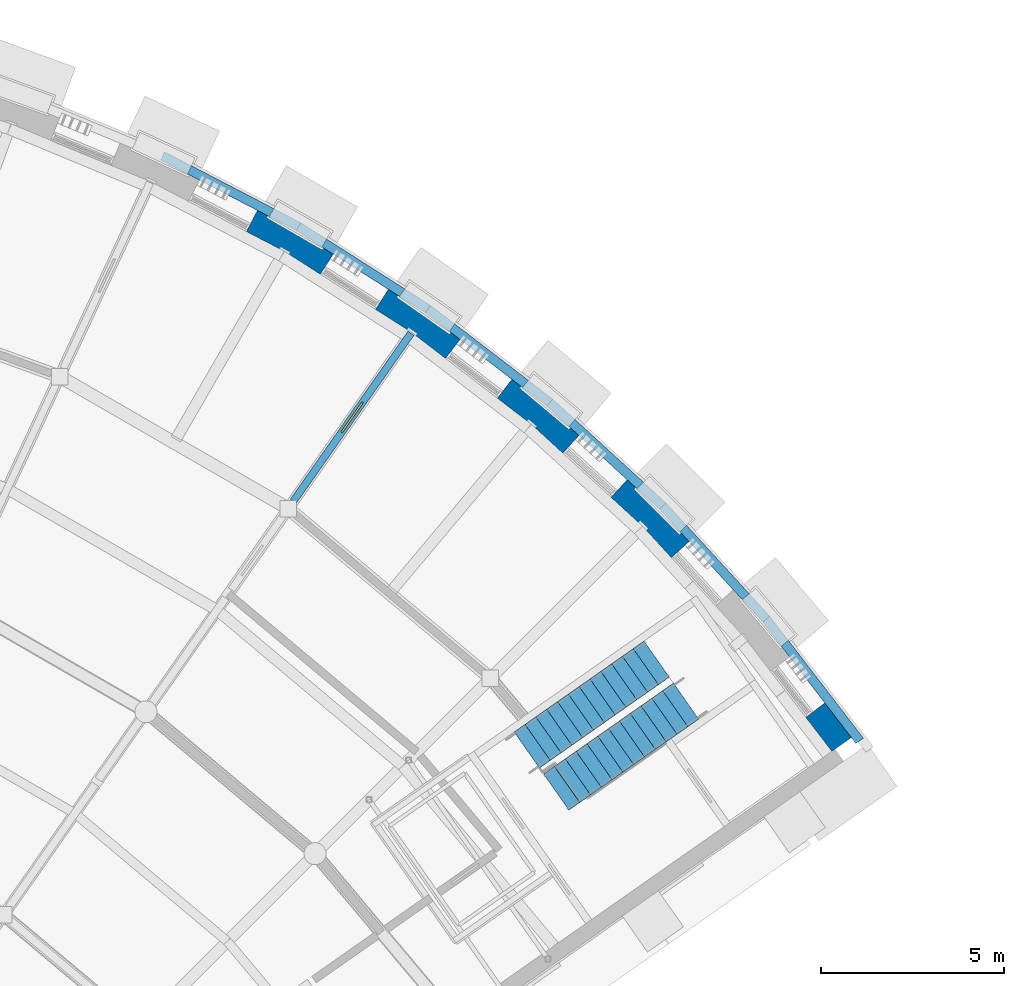
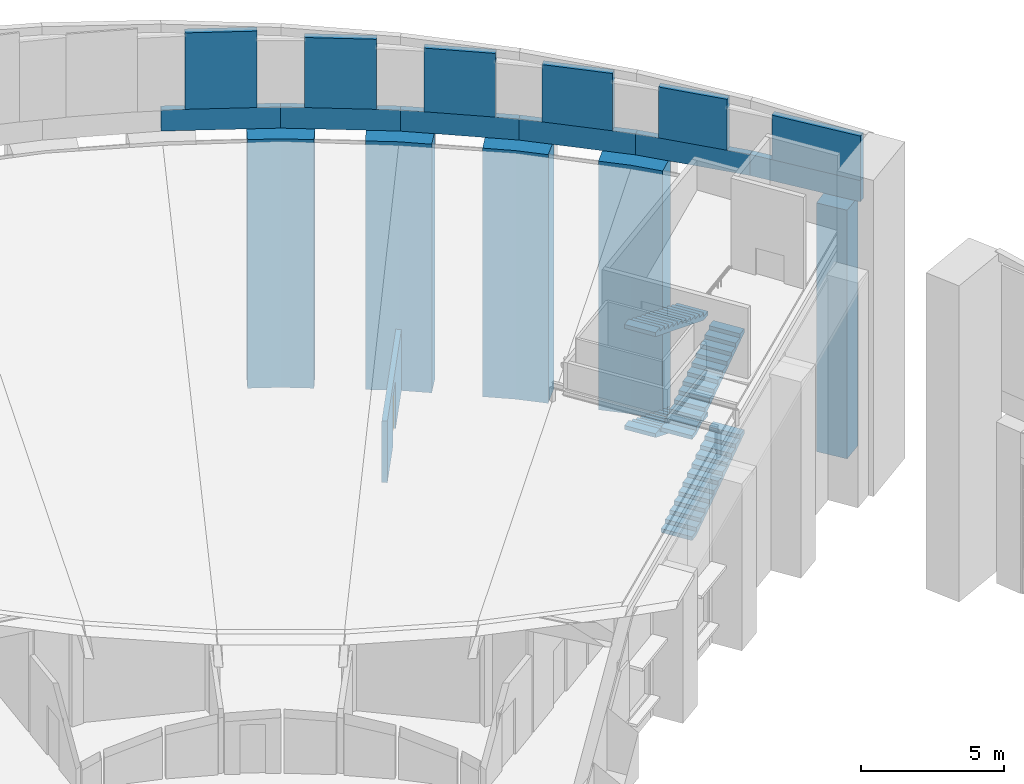
# One storey, part 62 of 82: 18 walls, 4 stair flights, 1 door, 1 opening, 2 elements without a shape of their own.
"""IFC4 building model written with IfcOpenShell, lengths in metres."""

from ifc_helpers import new_model, si_unit, direction, frame, frame_2d, origin, place, context, subcontext, project, spatial, polyline, rectangle, outline, extrude, material, layer, layer_set, type_object, element, fill, aggregate, save


model = new_model("IFC4")

# Units and contexts
model_context = context("Model", 3, precision=1e-05, world=origin(), true_north=direction((0.0, 1.0)))
body_context = subcontext(model_context, "Body", "Model", "MODEL_VIEW")
ifc_project = project(units=[si_unit("LENGTHUNIT", "METRE"), si_unit("AREAUNIT", "SQUARE_METRE"), si_unit("VOLUMEUNIT", "CUBIC_METRE"), si_unit("PLANEANGLEUNIT", "RADIAN"), si_unit("MASSUNIT", "GRAM", prefix="KILO")], contexts=[model_context])

# Site, building, storey
site_placement = place(None, origin())
site = spatial("IfcSite", under=ifc_project, at=site_placement, CompositionType="ELEMENT")
building_placement = place(site_placement, origin())
building = spatial("IfcBuilding", under=site, at=building_placement, Name="Volute Hill Aquarium", CompositionType="ELEMENT")
storey_placement = place(building_placement, frame((0.0, 0.0, 13.800048828125)))
storey = spatial("IfcBuildingStorey", under=building, at=storey_placement, Name="L04", CompositionType="ELEMENT", Elevation=13.800048828125)

# Walls
ifc_material_1 = material(Name="Precast concrete C40/50", Category="concrete")
ifc_layer_1 = layer(ifc_material_1, 0.25)
ifc_layer_set_1 = layer_set([ifc_layer_1], Name="Crown screen wall precast concrete C40/50 250")
wall_type_1 = type_object("IfcWallType", Name="Crown screen wall precast concrete C40/50 250", PredefinedType="NOTDEFINED", material=ifc_layer_set_1)
wall_1_placement = place(storey_placement, frame((0.0, 0.0, 11.48046875)))
element("IfcWall", 1, at=wall_1_placement, inside=storey, type_object=wall_type_1, Name="Crown screen wall CSW S5 1", PredefinedType="NOTDEFINED", context=body_context, shape_type="SweptSolid", body=[
    extrude(outline(polyline([(39.360595703125, 27.560546875), (37.3134765625, 30.228271484375), (37.121826171875, 30.067626953125), (39.155517578125, 27.4169921875), (39.360595703125, 27.560546875)])), origin(), (0.0, 0.0, 1.0), 1.89208984375),
])
wall_2_placement = place(storey_placement, frame((0.0, 0.0, 11.48046875)))
element("IfcWall", 2, at=wall_2_placement, inside=storey, type_object=wall_type_1, Name="Crown screen wall CSW S5 2", PredefinedType="NOTDEFINED", context=body_context, shape_type="SweptSolid", body=[
    extrude(outline(polyline([(36.24853515625, 31.49755859375), (34.537109375, 33.365478515625), (34.360107421875, 33.1884765625), (36.056884765625, 31.336669921875), (36.24853515625, 31.49755859375)])), origin(), (0.0, 0.0, 1.0), 2.1640625),
])
wall_3_placement = place(storey_placement, frame((0.0, 0.0, 11.48046875)))
element("IfcWall", 3, at=wall_3_placement, inside=storey, type_object=wall_type_1, Name="Crown screen wall CSW S5 3", PredefinedType="NOTDEFINED", context=body_context, shape_type="SweptSolid", body=[
    extrude(outline(polyline([(33.365478515625, 34.537109375), (31.49755859375, 36.24853515625), (31.336669921875, 36.056884765625), (33.1884765625, 34.360107421875), (33.365478515625, 34.537109375)])), origin(), (0.0, 0.0, 1.0), 2.435791015625),
])
wall_4_placement = place(storey_placement, frame((0.0, 0.0, 11.48046875)))
element("IfcWall", 4, at=wall_4_placement, inside=storey, type_object=wall_type_1, Name="Crown screen wall CSW S5 4", PredefinedType="NOTDEFINED", context=body_context, shape_type="SweptSolid", body=[
    extrude(outline(polyline([(30.228271484375, 37.3134765625), (28.218505859375, 38.855712890625), (28.074951171875, 38.65087890625), (30.0673828125, 37.121826171875), (30.228271484375, 37.3134765625)])), origin(), (0.0, 0.0, 1.0), 2.707763671875),
])
wall_5_placement = place(storey_placement, frame((0.0, 0.0, 11.48046875)))
element("IfcWall", 5, at=wall_5_placement, inside=storey, type_object=wall_type_1, Name="Crown screen wall CSW S5 5", PredefinedType="NOTDEFINED", context=body_context, shape_type="SweptSolid", body=[
    extrude(outline(polyline([(26.861328125, 39.80615234375), (24.724609375, 41.167236328125), (24.599609375, 40.95068359375), (26.7177734375, 39.60107421875), (26.861328125, 39.80615234375)])), origin(), (0.0, 0.0, 1.0), 2.979736328125),
])
wall_6_placement = place(storey_placement, frame((0.0, 0.0, 11.48046875)))
element("IfcWall", 6, at=wall_6_placement, inside=storey, type_object=wall_type_1, Name="Crown screen wall CSW S5 6", PredefinedType="NOTDEFINED", context=body_context, shape_type="SweptSolid", body=[
    extrude(outline(polyline([(23.289794921875, 41.995849609375), (21.04248046875, 43.16552734375), (20.936767578125, 42.938720703125), (23.16455078125, 41.779052734375), (23.289794921875, 41.995849609375)])), origin(), (0.0, 0.0, 1.0), 3.251708984375),
])

# Wall, opening, door
ifc_material_2 = material(Name="Masonry blockwork", Category="masonry")
ifc_layer_2 = layer(ifc_material_2, 0.199951171875)
ifc_layer_set_2 = layer_set([ifc_layer_2], Name="Fire partition 200 EI 60")
wall_type_2 = type_object("IfcWallType", Name="Fire partition 200 EI 60", PredefinedType="PARTITIONING", material=ifc_layer_set_2)
wall_7_placement = place(storey_placement, frame((23.819091796875, 34.01708984375, 0.0), z_axis=(0.0, 0.0, 1.0), x_axis=(0.573564881926, 0.819160134663, 0.0)))
wall_7 = element("IfcWall", 7, at=wall_7_placement, inside=storey, type_object=wall_type_2, Name="pw/S5/L04/010", PredefinedType="PARTITIONING", context=body_context, shape_type="SweptSolid", body=[
    extrude(rectangle(XDim=5.5927734375, YDim=0.199951171875, at=frame_2d((2.79638671875, 0.0))), origin(), (0.0, 0.0, 1.0), 2.621826171875),
])
opening_placement = place(wall_7_placement, frame((2.29638671875, 0.0, 0.0)))
opening = element("IfcOpeningElement", 8, at=opening_placement, cuts=wall_7, Name="Opening D5.04.09", PredefinedType="OPENING", context=body_context, shape_type="SweptSolid", body=[
    extrude(rectangle(XDim=1.0, YDim=2.10009765625, at=frame_2d((0.5, 1.050048828125))), frame((0.0, 0.10986328125, 0.0), z_axis=(0.0, -1.0, 0.0), x_axis=(1.0, 0.0, 0.0)), (0.0, 0.0, 1.0), 0.219970703125),
])
ifc_material_3 = material(Name="Timber, fire-rated", Category="wood")
door_type = type_object("IfcDoorType", Name="Door 1000 x 2100 single EI1 30", OperationType="SINGLE_SWING_LEFT", PredefinedType="DOOR", material=ifc_material_3)
door_placement = place(opening_placement, origin())
door = element("IfcDoor", 9, at=door_placement, inside=storey, type_object=door_type, Name="d/S5/L04/09", OperationType="SINGLE_SWING_LEFT", OverallHeight=2.10009765625, OverallWidth=1.0, PredefinedType="DOOR", context=body_context, shape_type="SweptSolid", body=[
    extrude(rectangle(XDim=1.0, YDim=2.10009765625, at=frame_2d((0.5, 1.050048828125))), frame((0.0, 0.02490234375, 0.0), z_axis=(0.0, -1.0, 0.0), x_axis=(1.0, 0.0, 0.0)), (0.0, 0.0, 1.0), 0.050048828125),
])
fill(opening, door)

# Walls
ifc_material_4 = material(Name="Precast concrete C40/50", Category="concrete")
ifc_layer_3 = layer(ifc_material_4, 0.89990234375)
ifc_layer_set_3 = layer_set([ifc_layer_3], Name="Outer pier precast concrete C40/50 900")
wall_type_3 = type_object("IfcWallType", Name="Outer pier precast concrete C40/50 900", PredefinedType="NOTDEFINED", material=ifc_layer_set_3)
wall_8_placement = place(storey_placement, origin())
element("IfcWall", 10, at=wall_8_placement, inside=storey, type_object=wall_type_3, Name="Outer pier OWP S5 L04 1", PredefinedType="NOTDEFINED", context=body_context, shape_type="SweptSolid", body=[
    extrude(outline(polyline([(38.500732421875, 27.20263671875), (39.23876953125, 27.719482421875), (38.50634765625, 28.673828125), (37.792236328125, 28.1259765625), (38.500732421875, 27.20263671875)])), origin(), (0.0, 0.0, 1.0), 10.58056640625),
])
wall_9_placement = place(storey_placement, origin())
element("IfcWall", 11, at=wall_9_placement, inside=storey, type_object=wall_type_3, Name="Outer pier OWP S5 L04 3", PredefinedType="NOTDEFINED", context=body_context, shape_type="SweptSolid", body=[
    extrude(outline(polyline([(34.1259765625, 32.481689453125), (34.78955078125, 33.08984375), (33.08984375, 34.78955078125), (32.481689453125, 34.1259765625), (33.33984375, 33.33984375), (34.1259765625, 32.481689453125)])), origin(), (0.0, 0.0, 1.0), 10.58056640625),
])
wall_10_placement = place(storey_placement, origin())
element("IfcWall", 12, at=wall_10_placement, inside=storey, type_object=wall_type_3, Name="Outer pier OWP S5 L04 4", PredefinedType="NOTDEFINED", context=body_context, shape_type="SweptSolid", body=[
    extrude(outline(polyline([(31.165283203125, 35.33251953125), (31.773193359375, 35.99609375), (29.931640625, 37.541259765625), (29.3837890625, 36.8271484375), (30.30712890625, 36.11865234375), (31.165283203125, 35.33251953125)])), origin(), (0.0, 0.0, 1.0), 10.58056640625),
])
wall_11_placement = place(storey_placement, origin())
element("IfcWall", 13, at=wall_11_placement, inside=storey, type_object=wall_type_3, Name="Outer pier OWP S5 L04 5", PredefinedType="NOTDEFINED", context=body_context, shape_type="SweptSolid", body=[
    extrude(outline(polyline([(27.96728515625, 37.9140625), (28.51513671875, 38.628173828125), (26.5458984375, 40.007080078125), (26.062255859375, 39.248046875), (27.0439453125, 38.622802734375), (27.96728515625, 37.9140625)])), origin(), (0.0, 0.0, 1.0), 10.58056640625),
])
wall_12_placement = place(storey_placement, origin())
element("IfcWall", 14, at=wall_12_placement, inside=storey, type_object=wall_type_3, Name="Outer pier OWP S5 L04 6", PredefinedType="NOTDEFINED", context=body_context, shape_type="SweptSolid", body=[
    extrude(outline(polyline([(24.556396484375, 40.20751953125), (25.039794921875, 40.966552734375), (22.9580078125, 42.16845703125), (22.54248046875, 41.3701171875), (23.57470703125, 40.832763671875), (24.556396484375, 40.20751953125)])), origin(), (0.0, 0.0, 1.0), 10.58056640625),
])
ifc_material_5 = material(Name="Precast concrete C40/50", Category="concrete")
ifc_layer_4 = layer(ifc_material_5, 0.25)
ifc_layer_set_4 = layer_set([ifc_layer_4], Name="Roof edge parapet precast concrete C40/50 250")
wall_type_4 = type_object("IfcWallType", Name="Roof edge parapet precast concrete C40/50 250", PredefinedType="PARAPET", material=ifc_layer_set_4)
wall_13_placement = place(storey_placement, frame((0.0, 0.0, 10.58056640625)))
element("IfcWall", 15, at=wall_13_placement, inside=storey, type_object=wall_type_4, Name="Roof edge parapet PAR S5 1", PredefinedType="PARAPET", context=body_context, shape_type="SweptSolid", body=[
    extrude(outline(polyline([(36.808837890625, 30.88623046875), (36.616943359375, 30.725341796875), (39.155517578125, 27.4169921875), (39.360595703125, 27.560546875), (36.808837890625, 30.88623046875)])), origin(), (0.0, 0.0, 1.0), 0.89990234375),
])
wall_14_placement = place(storey_placement, frame((0.0, 0.0, 10.58056640625)))
element("IfcWall", 16, at=wall_14_placement, inside=storey, type_object=wall_type_4, Name="Roof edge parapet PAR S5 2", PredefinedType="PARAPET", context=body_context, shape_type="SweptSolid", body=[
    extrude(outline(polyline([(36.616943359375, 30.725341796875), (36.808837890625, 30.88623046875), (33.976806640625, 33.976806640625), (33.7998046875, 33.800048828125), (36.616943359375, 30.725341796875)])), origin(), (0.0, 0.0, 1.0), 0.89990234375),
])
wall_15_placement = place(storey_placement, frame((0.0, 0.0, 10.58056640625)))
element("IfcWall", 17, at=wall_15_placement, inside=storey, type_object=wall_type_4, Name="Roof edge parapet PAR S5 3", PredefinedType="PARAPET", context=body_context, shape_type="SweptSolid", body=[
    extrude(outline(polyline([(33.7998046875, 33.7998046875), (33.976806640625, 33.976806640625), (30.88623046875, 36.808837890625), (30.725341796875, 36.6171875), (33.7998046875, 33.7998046875)])), origin(), (0.0, 0.0, 1.0), 0.89990234375),
])
wall_16_placement = place(storey_placement, frame((0.0, 0.0, 10.58056640625)))
element("IfcWall", 18, at=wall_16_placement, inside=storey, type_object=wall_type_4, Name="Roof edge parapet PAR S5 4", PredefinedType="PARAPET", context=body_context, shape_type="SweptSolid", body=[
    extrude(outline(polyline([(30.725341796875, 36.616943359375), (30.88623046875, 36.808837890625), (27.560546875, 39.360595703125), (27.4169921875, 39.155517578125), (30.725341796875, 36.616943359375)])), origin(), (0.0, 0.0, 1.0), 0.89990234375),
])
wall_17_placement = place(storey_placement, frame((0.0, 0.0, 10.58056640625)))
element("IfcWall", 19, at=wall_17_placement, inside=storey, type_object=wall_type_4, Name="Roof edge parapet PAR S5 5", PredefinedType="PARAPET", context=body_context, shape_type="SweptSolid", body=[
    extrude(outline(polyline([(27.4169921875, 39.155517578125), (27.560546875, 39.360595703125), (24.025146484375, 41.613037109375), (23.89990234375, 41.396240234375), (27.4169921875, 39.155517578125)])), origin(), (0.0, 0.0, 1.0), 0.89990234375),
])
wall_18_placement = place(storey_placement, frame((0.0, 0.0, 10.58056640625)))
element("IfcWall", 20, at=wall_18_placement, inside=storey, type_object=wall_type_4, Name="Roof edge parapet PAR S5 6", PredefinedType="PARAPET", context=body_context, shape_type="SweptSolid", body=[
    extrude(outline(polyline([(23.900146484375, 41.396240234375), (24.025146484375, 41.61279296875), (20.306884765625, 43.548583984375), (20.201171875, 43.32177734375), (23.900146484375, 41.396240234375)])), origin(), (0.0, 0.0, 1.0), 0.89990234375),
])

# Stair, stair flights
ifc_material_6 = material(Name="Concrete C35/45", Category="concrete")
stair_type = type_object("IfcStairType", Name="Stair C35/45", PredefinedType="HALF_TURN_STAIR", material=ifc_material_6)
stair_1_placement = place(storey_placement, origin())
stair_1 = element("IfcStair", 21, at=stair_1_placement, inside=storey, type_object=stair_type, Name="ST/S5-A/L04", PredefinedType="HALF_TURN_STAIR")
ifc_material_7 = material(Name="Concrete C35/45", Category="concrete")
stair_flight_type = type_object("IfcStairFlightType", Name="Stair flight C35/45", PredefinedType="STRAIGHT", material=ifc_material_7)
stair_flight_1_placement = place(storey_placement, frame((30.98779296875, 26.0927734375, 0.0), z_axis=(0.0, 0.0, 1.0), x_axis=(0.81912384914, 0.573616701091, 0.0)))
stair_flight_1 = element("IfcStairFlight", 22, at=stair_flight_1_placement, type_object=stair_flight_type, Name="ST-S5-A-04 flight 1", NumberOfRisers=13, NumberOfTreads=12, PredefinedType="STRAIGHT", RiserHeight=0.165384615, TreadLength=0.36, context=body_context, shape_type="SweptSolid", body=[
    extrude(outline(polyline([(0.0, 0.0), (0.0, 0.165283203125), (0.360107421875, 0.165283203125), (0.360107421875, 0.330810546875), (0.719970703125, 0.330810546875), (0.719970703125, 0.49609375), (1.080078125, 0.49609375), (1.080078125, 0.66162109375), (1.43994140625, 0.66162109375), (1.43994140625, 0.826904296875), (1.800048828125, 0.826904296875), (1.800048828125, 0.9921875), (2.159912109375, 0.9921875), (2.159912109375, 1.15771484375), (2.52001953125, 1.15771484375), (2.52001953125, 1.322998046875), (2.8798828125, 1.322998046875), (2.8798828125, 1.488525390625), (3.239990234375, 1.488525390625), (3.239990234375, 1.65380859375), (3.60009765625, 1.65380859375), (3.60009765625, 1.8193359375), (3.9599609375, 1.8193359375), (3.9599609375, 1.984619140625), (4.320068359375, 1.984619140625), (4.320068359375, 2.14990234375), (4.320068359375, 1.819580078125), (0.359130859375, 0.0), (0.0, 0.0)])), frame((0.0, 0.60009765625, 0.0), z_axis=(0.0, -1.0, 0.0), x_axis=(1.0, 0.0, 0.0)), (0.0, 0.0, 1.0), 1.199951171875),
])
stair_flight_2_placement = place(storey_placement, frame((33.7236328125, 29.71728515625, 2.14990234375), z_axis=(0.0, 0.0, 1.0), x_axis=(-0.81912384914, -0.573616701091, 0.0)))
stair_flight_2 = element("IfcStairFlight", 23, at=stair_flight_2_placement, type_object=stair_flight_type, Name="ST-S5-A-04 flight 2", NumberOfRisers=13, NumberOfTreads=12, PredefinedType="STRAIGHT", RiserHeight=0.165384615, TreadLength=0.36, context=body_context, shape_type="SweptSolid", body=[
    extrude(outline(polyline([(0.0, 0.0), (0.0, 0.165283203125), (0.360107421875, 0.165283203125), (0.360107421875, 0.330810546875), (0.719970703125, 0.330810546875), (0.719970703125, 0.49609375), (1.080078125, 0.49609375), (1.080078125, 0.66162109375), (1.43994140625, 0.66162109375), (1.43994140625, 0.826904296875), (1.800048828125, 0.826904296875), (1.800048828125, 0.9921875), (2.159912109375, 0.9921875), (2.159912109375, 1.15771484375), (2.52001953125, 1.15771484375), (2.52001953125, 1.322998046875), (2.8798828125, 1.322998046875), (2.8798828125, 1.488525390625), (3.239990234375, 1.488525390625), (3.239990234375, 1.65380859375), (3.60009765625, 1.65380859375), (3.60009765625, 1.8193359375), (3.9599609375, 1.8193359375), (3.9599609375, 1.984619140625), (4.320068359375, 1.984619140625), (4.320068359375, 2.14990234375), (4.320068359375, 1.819580078125), (0.359130859375, 0.0), (0.0, 0.0)])), frame((0.0, 0.60009765625, 0.0), z_axis=(0.0, -1.0, 0.0), x_axis=(1.0, 0.0, 0.0)), (0.0, 0.0, 1.0), 1.199951171875),
])
aggregate(stair_1, [stair_flight_1, stair_flight_2])

stair_2_placement = place(storey_placement, origin())
stair_2 = element("IfcStair", 24, at=stair_2_placement, inside=storey, type_object=stair_type, Name="ST/S5-A/L04m1", PredefinedType="HALF_TURN_STAIR")
stair_flight_3_placement = place(storey_placement, frame((30.98779296875, 26.0927734375, 4.300048828125), z_axis=(0.0, 0.0, 1.0), x_axis=(0.81912384914, 0.573616701091, 0.0)))
stair_flight_3 = element("IfcStairFlight", 25, at=stair_flight_3_placement, type_object=stair_flight_type, Name="ST-S5-A-04m1 flight 1", NumberOfRisers=13, NumberOfTreads=12, PredefinedType="STRAIGHT", RiserHeight=0.165384615, TreadLength=0.36, context=body_context, shape_type="SweptSolid", body=[
    extrude(outline(polyline([(0.0, 0.0), (0.0, 0.165283203125), (0.360107421875, 0.165283203125), (0.360107421875, 0.330810546875), (0.719970703125, 0.330810546875), (0.719970703125, 0.49609375), (1.080078125, 0.49609375), (1.080078125, 0.66162109375), (1.43994140625, 0.66162109375), (1.43994140625, 0.826904296875), (1.800048828125, 0.826904296875), (1.800048828125, 0.9921875), (2.159912109375, 0.9921875), (2.159912109375, 1.15771484375), (2.52001953125, 1.15771484375), (2.52001953125, 1.322998046875), (2.8798828125, 1.322998046875), (2.8798828125, 1.488525390625), (3.239990234375, 1.488525390625), (3.239990234375, 1.65380859375), (3.60009765625, 1.65380859375), (3.60009765625, 1.8193359375), (3.9599609375, 1.8193359375), (3.9599609375, 1.984619140625), (4.320068359375, 1.984619140625), (4.320068359375, 2.14990234375), (4.320068359375, 1.819580078125), (0.359130859375, 0.0), (0.0, 0.0)])), frame((0.0, 0.60009765625, 0.0), z_axis=(0.0, -1.0, 0.0), x_axis=(1.0, 0.0, 0.0)), (0.0, 0.0, 1.0), 1.199951171875),
])
stair_flight_4_placement = place(storey_placement, frame((33.7236328125, 29.71728515625, 6.449951171875), z_axis=(0.0, 0.0, 1.0), x_axis=(-0.81912384914, -0.573616701091, 0.0)))
stair_flight_4 = element("IfcStairFlight", 26, at=stair_flight_4_placement, type_object=stair_flight_type, Name="ST-S5-A-04m1 flight 2", NumberOfRisers=13, NumberOfTreads=12, PredefinedType="STRAIGHT", RiserHeight=0.165384615, TreadLength=0.36, context=body_context, shape_type="SweptSolid", body=[
    extrude(outline(polyline([(0.0, 0.0), (0.0, 0.165283203125), (0.360107421875, 0.165283203125), (0.360107421875, 0.330810546875), (0.719970703125, 0.330810546875), (0.719970703125, 0.49609375), (1.080078125, 0.49609375), (1.080078125, 0.66162109375), (1.43994140625, 0.66162109375), (1.43994140625, 0.826904296875), (1.800048828125, 0.826904296875), (1.800048828125, 0.9921875), (2.159912109375, 0.9921875), (2.159912109375, 1.15771484375), (2.52001953125, 1.15771484375), (2.52001953125, 1.322998046875), (2.8798828125, 1.322998046875), (2.8798828125, 1.488525390625), (3.239990234375, 1.488525390625), (3.239990234375, 1.65380859375), (3.60009765625, 1.65380859375), (3.60009765625, 1.8193359375), (3.9599609375, 1.8193359375), (3.9599609375, 1.984619140625), (4.320068359375, 1.984619140625), (4.320068359375, 2.14990234375), (4.320068359375, 1.819580078125), (0.359130859375, 0.0), (0.0, 0.0)])), frame((0.0, 0.60009765625, 0.0), z_axis=(0.0, -1.0, 0.0), x_axis=(1.0, 0.0, 0.0)), (0.0, 0.0, 1.0), 1.199951171875),
])
aggregate(stair_2, [stair_flight_3, stair_flight_4])

save(model, "model.ifc")
